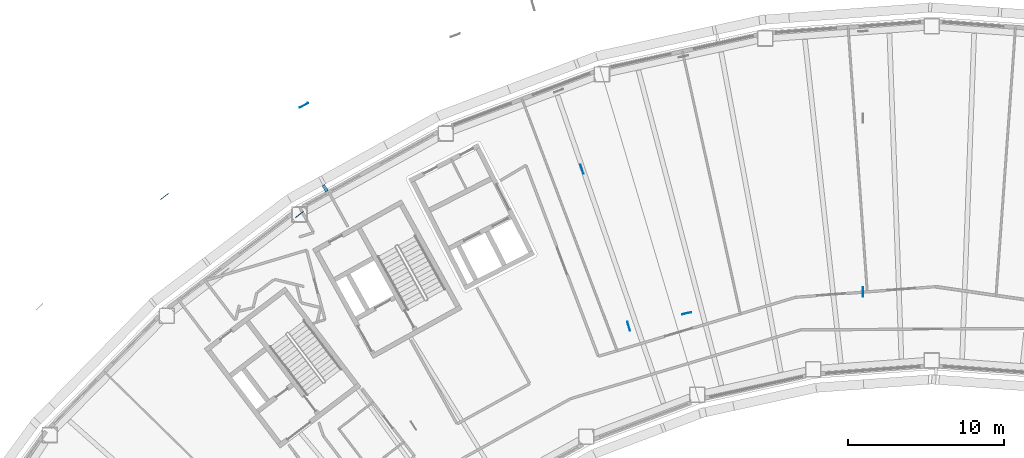
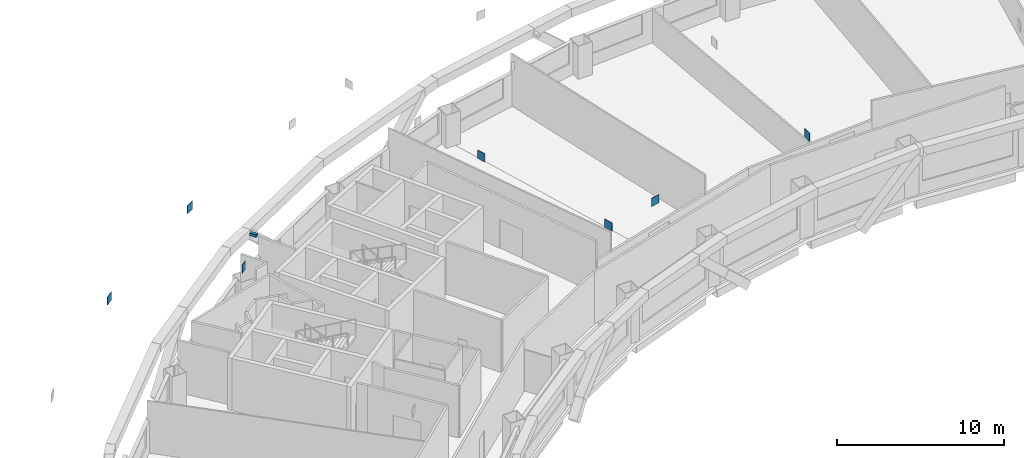
# One storey, part 11 of 19: 8 discrete accessories.
"""IFC4 building model written with IfcOpenShell, lengths in metres."""

from ifc_helpers import new_model, si_unit, direction, frame, origin, origin_2d, place, context, subcontext, project, spatial, rectangle, extrude, material, type_object, element, save


model = new_model("IFC4")

# Units and contexts
model_context = context("Model", 3, precision=1e-05, world=origin(), true_north=direction((0.0, 1.0)))
body_context = subcontext(model_context, "Body", "Model", "MODEL_VIEW")
ifc_project = project(units=[si_unit("LENGTHUNIT", "METRE"), si_unit("AREAUNIT", "SQUARE_METRE"), si_unit("VOLUMEUNIT", "CUBIC_METRE"), si_unit("PLANEANGLEUNIT", "RADIAN"), si_unit("MASSUNIT", "GRAM", prefix="KILO")], contexts=[model_context])

# Site, building, storey
site_placement = place(None, origin())
site = spatial("IfcSite", under=ifc_project, at=site_placement, CompositionType="ELEMENT")
building_placement = place(site_placement, origin())
building = spatial("IfcBuilding", under=site, at=building_placement, Name="Tuul Gate Civic Tower", CompositionType="ELEMENT")
storey_placement = place(building_placement, frame((0.0, 0.0, 163.39990234375)))
storey = spatial("IfcBuildingStorey", under=building, at=storey_placement, Name="Level 37", CompositionType="ELEMENT", Elevation=163.39990234375)

# Discrete accessories
ifc_material_1 = material(Name="Steel S355", Category="steel")
discrete_accessory_type_1 = type_object("IfcDiscreteAccessoryType", Name="Gusset plate", PredefinedType="BRACKET", material=ifc_material_1)
for number, where, z_axis, x_axis, name in (
    (1, (-16.979248046875, 0.1025390625, 2.796875), (0.0, 0.0, 1.0), (-0.285212112775, 0.958464423297, 0.0), "Gusset plate"),
    (2, (-13.993896484375, -9.92431640625, 2.79638671875), (0.0, 0.0, 1.0), (-0.285212112775, 0.958464423297, 0.0), "Gusset plate"),
    (3, (0.99169921875, -7.741943359375, 2.796630859375), (0.0, 0.0, 1.0), (0.0, 1.0, 0.0), "Gusset plate"),
    (4, (-43.659912109375, -1.64111328125, 2.796875), (0.0, 0.0, 1.0), (0.795663839612, 0.605738437227, 0.0), "Gusset plate"),
    (5, (-35.028076171875, -2.790771484375, 2.795166015625), (0.0, 0.0, 1.0), (-0.795663839612, -0.605738437227, 0.0), "Gusset plate"),
    (6, (-34.742919921875, 4.181396484375, 2.796875), (0.0, 0.0, 1.0), (0.874585469632, 0.484871381202, 0.0), "Gusset plate"),
    (7, (-10.2890625, -9.10595703125, 2.796142578125), (0.0, 0.0, 1.0), (-0.97656368755, -0.215228632292, 0.0), "Gusset plate"),
):
    element("IfcDiscreteAccessory", number, at=place(storey_placement, frame(where, z_axis=z_axis, x_axis=x_axis)), inside=storey, type_object=discrete_accessory_type_1, Name=name, PredefinedType="BRACKET", context=body_context, shape_type="SweptSolid", body=[
        extrude(rectangle(XDim=0.60009765625, YDim=0.030029296875, at=origin_2d()), origin(), (0.0, 0.0, 1.0), 0.60009765625),
    ])
ifc_material_2 = material(Name="Stainless steel", Category="steel")
discrete_accessory_type_2 = type_object("IfcDiscreteAccessoryType", Name="Screen bracket", PredefinedType="BRACKET", material=ifc_material_2)
discrete_accessory_placement = place(storey_placement, frame((-33.392578125, -1.1123046875, 3.75), z_axis=(0.0, 0.0, 1.0), x_axis=(-0.520745925274, 0.853711708547, 0.0)))
element("IfcDiscreteAccessory", 8, at=discrete_accessory_placement, inside=storey, type_object=discrete_accessory_type_2, Name="Screen bracket 14", PredefinedType="BRACKET", context=body_context, shape_type="SweptSolid", body=[
    extrude(rectangle(XDim=0.450439453125, YDim=0.199951171875, at=origin_2d()), origin(), (0.0, 0.0, 1.0), 0.199951171875),
])

save(model, "model.ifc")
